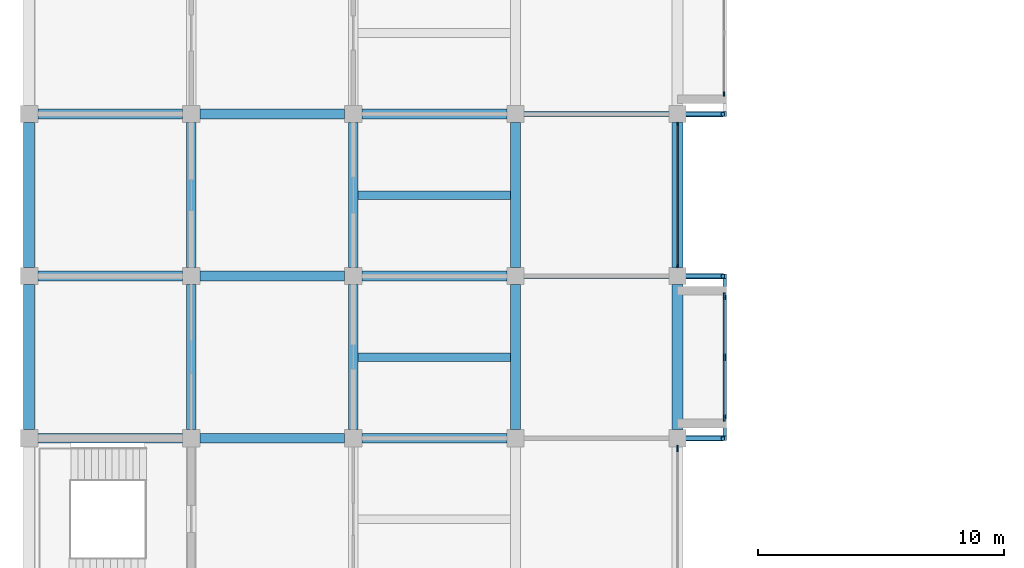
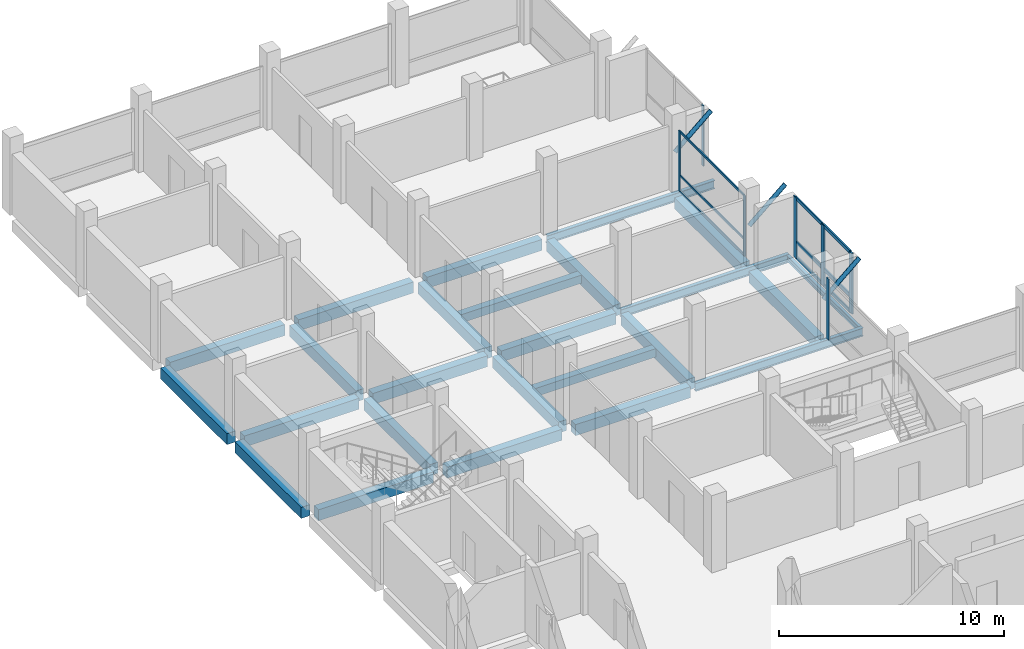
# One storey, part 4 of 10: 25 beams, 19 members, 4 elements without a shape of their own.
"""IFC4 building model written with IfcOpenShell, lengths in metres."""

from ifc_helpers import new_model, si_unit, direction, frame, origin, origin_2d, place, context, subcontext, project, spatial, rectangle, hollow_circle, i_section, extrude, material, material_profile, profile_set, type_object, element, aggregate, save


model = new_model("IFC4")

# Units and contexts
model_context = context("Model", 3, precision=1e-05, world=origin(), true_north=direction((0.0, 1.0)))
body_context = subcontext(model_context, "Body", "Model", "MODEL_VIEW")
ifc_project = project(units=[si_unit("LENGTHUNIT", "METRE"), si_unit("AREAUNIT", "SQUARE_METRE"), si_unit("VOLUMEUNIT", "CUBIC_METRE"), si_unit("PLANEANGLEUNIT", "RADIAN"), si_unit("MASSUNIT", "GRAM", prefix="KILO")], contexts=[model_context])

# Site, building, storey
site_placement = place(None, origin())
site = spatial("IfcSite", under=ifc_project, at=site_placement, CompositionType="ELEMENT")
building_placement = place(site_placement, origin())
building = spatial("IfcBuilding", under=site, at=building_placement, Name="Rusizi Kubbe Research Institute", CompositionType="ELEMENT")
storey_placement = place(building_placement, frame((0.0, 0.0, 48.0)))
storey = spatial("IfcBuildingStorey", under=building, at=storey_placement, Name="L11", CompositionType="ELEMENT", Elevation=48.0)

# Beams
ifc_material_1 = material(Name="Steel S355", Category="steel")
ifc_material_profile_1 = material_profile(ifc_material_1, i_section(OverallWidth=0.14990234375, OverallDepth=0.300048828125, WebThickness=0.007080078125, FlangeThickness=0.0107421875, at=origin_2d()), Name="IPE 300")
ifc_profile_set_1 = profile_set([ifc_material_profile_1], Name="Steel S355")
beam_type_1 = type_object("IfcBeamType", Name="BM-IPE300", PredefinedType="BEAM", material=ifc_profile_set_1)
beam_1_placement = place(storey_placement, frame((28.324951171875, 33.094970703125, -0.4599609375), z_axis=(0.0, 1.0, 0.0), x_axis=(-1.0, 0.0, 0.0)))
element("IfcBeam", 1, at=beam_1_placement, inside=storey, type_object=beam_type_1, Name="Cumba Edge Tie Beam L11-1", PredefinedType="BEAM", context=body_context, shape_type="SweptSolid", body=[
    extrude(i_section(OverallWidth=0.14990234375, OverallDepth=0.300048828125, WebThickness=0.007080078125, FlangeThickness=0.0107421875, at=origin_2d()), origin(), (0.0, 0.0, 1.0), 6.409912109375),
])
ifc_material_2 = material(Name="Steel S355", Category="steel")
ifc_material_profile_2 = material_profile(ifc_material_2, i_section(OverallWidth=0.18994140625, OverallDepth=0.449951171875, WebThickness=0.009521484375, FlangeThickness=0.0146484375, at=origin_2d()), Name="IPE 450")
ifc_profile_set_2 = profile_set([ifc_material_profile_2], Name="Steel S355")
beam_type_2 = type_object("IfcBeamType", Name="BM-IPE450", PredefinedType="BEAM", material=ifc_profile_set_2)
for number, where, z_axis, x_axis, name in (
    (2, (19.800048828125, 33.0, -0.534912109375), (1.0, 0.0, 0.0), (0.0, 1.0, 0.0), "Cumba Back-Spanned Cantilever Beam L11-1S"),
    (3, (19.800048828125, 39.60009765625, -0.534912109375), (1.0, 0.0, 0.0), (0.0, 1.0, 0.0), "Cumba Back-Spanned Cantilever Beam L11-1N"),
    (4, (19.800048828125, 46.199951171875, -0.534912109375), (1.0, 0.0, 0.0), (0.0, 1.0, 0.0), "Cumba Back-Spanned Cantilever Beam L11-2S"),
):
    element("IfcBeam", number, at=place(storey_placement, frame(where, z_axis=z_axis, x_axis=x_axis)), inside=storey, type_object=beam_type_2, Name=name, PredefinedType="BEAM", context=body_context, shape_type="SweptSolid", body=[
        extrude(i_section(OverallWidth=0.18994140625, OverallDepth=0.449951171875, WebThickness=0.009521484375, FlangeThickness=0.0146484375, at=origin_2d()), origin(), (0.0, 0.0, 1.0), 8.599853515625),
    ])
ifc_material_3 = material(Name="Concrete C40/50", Category="concrete")
ifc_material_profile_3 = material_profile(ifc_material_3, rectangle(XDim=0.35009765625, YDim=0.449951171875, at=origin_2d()), Name="RC350x450")
ifc_profile_set_3 = profile_set([ifc_material_profile_3], Name="Concrete C40/50")
beam_type_3 = type_object("IfcBeamType", Name="BM-RC350x450", PredefinedType="JOIST", material=ifc_profile_set_3)
for number, where, z_axis, x_axis, name in (
    (5, (13.39990234375, 36.300048828125, -0.534912109375), (1.0, 0.0, 0.0), (0.0, 1.0, 0.0), "Lab Stiffener Joist L11 (2,5)"),
    (6, (13.39990234375, 42.89990234375, -0.534912109375), (1.0, 0.0, 0.0), (0.0, 1.0, 0.0), "Lab Stiffener Joist L11 (2,6)"),
):
    element("IfcBeam", number, at=place(storey_placement, frame(where, z_axis=z_axis, x_axis=x_axis)), inside=storey, type_object=beam_type_3, Name=name, PredefinedType="JOIST", context=body_context, shape_type="SweptSolid", body=[
        extrude(rectangle(XDim=0.35009765625, YDim=0.449951171875, at=origin_2d()), origin(), (0.0, 0.0, 1.0), 6.2001953125),
    ])
ifc_material_4 = material(Name="Concrete C40/50", Category="concrete")
ifc_material_profile_4 = material_profile(ifc_material_4, rectangle(XDim=0.39990234375, YDim=0.60009765625, at=origin_2d()), Name="RC400x600")
ifc_profile_set_4 = profile_set([ifc_material_profile_4], Name="Concrete C40/50")
beam_type_4 = type_object("IfcBeamType", Name="BM-RC400x600", PredefinedType="BEAM", material=ifc_profile_set_4)
for number, where, z_axis, x_axis, name in (
    (7, (0.35009765625, 33.0, -0.610107421875), (1.0, 0.0, 0.0), (0.0, 1.0, 0.0), "Grid Beam H L11 (0,5)"),
    (8, (0.35009765625, 39.60009765625, -0.610107421875), (1.0, 0.0, 0.0), (0.0, 1.0, 0.0), "Grid Beam H L11 (0,6)"),
    (9, (0.35009765625, 46.199951171875, -0.610107421875), (1.0, 0.0, 0.0), (0.0, 1.0, 0.0), "Grid Beam H L11 (0,7)"),
):
    element("IfcBeam", number, at=place(storey_placement, frame(where, z_axis=z_axis, x_axis=x_axis)), inside=storey, type_object=beam_type_4, Name=name, PredefinedType="BEAM", context=body_context, shape_type="SweptSolid", body=[
        extrude(rectangle(XDim=0.39990234375, YDim=0.60009765625, at=origin_2d()), origin(), (0.0, 0.0, 1.0), 5.89990234375),
    ])
for number, where, z_axis, x_axis, name in (
    (10, (6.949951171875, 33.0, -0.610107421875), (1.0, 0.0, 0.0), (0.0, 1.0, 0.0), "Grid Beam H L11 (1,5)"),
    (11, (6.949951171875, 39.60009765625, -0.610107421875), (1.0, 0.0, 0.0), (0.0, 1.0, 0.0), "Grid Beam H L11 (1,6)"),
    (12, (6.949951171875, 46.199951171875, -0.610107421875), (1.0, 0.0, 0.0), (0.0, 1.0, 0.0), "Grid Beam H L11 (1,7)"),
):
    element("IfcBeam", number, at=place(storey_placement, frame(where, z_axis=z_axis, x_axis=x_axis)), inside=storey, type_object=beam_type_4, Name=name, PredefinedType="BEAM", context=body_context, shape_type="SweptSolid", body=[
        extrude(rectangle(XDim=0.39990234375, YDim=0.60009765625, at=origin_2d()), origin(), (0.0, 0.0, 1.0), 5.900146484375),
    ])
for number, where, z_axis, x_axis, name in (
    (13, (13.550048828125, 33.0, -0.610107421875), (1.0, 0.0, 0.0), (0.0, 1.0, 0.0), "Grid Beam H L11 (2,5)"),
    (14, (13.550048828125, 39.60009765625, -0.610107421875), (1.0, 0.0, 0.0), (0.0, 1.0, 0.0), "Grid Beam H L11 (2,6)"),
    (15, (13.550048828125, 46.199951171875, -0.610107421875), (1.0, 0.0, 0.0), (0.0, 1.0, 0.0), "Grid Beam H L11 (2,7)"),
    (16, (6.60009765625, 33.35009765625, -0.610107421875), (0.0, 1.0, 0.0), (-1.0, 0.0, 0.0), "Grid Beam V L11 (1,5)"),
):
    element("IfcBeam", number, at=place(storey_placement, frame(where, z_axis=z_axis, x_axis=x_axis)), inside=storey, type_object=beam_type_4, Name=name, PredefinedType="BEAM", context=body_context, shape_type="SweptSolid", body=[
        extrude(rectangle(XDim=0.39990234375, YDim=0.60009765625, at=origin_2d()), origin(), (0.0, 0.0, 1.0), 5.89990234375),
    ])
beam_2_placement = place(storey_placement, frame((6.60009765625, 39.949951171875, -0.610107421875), z_axis=(0.0, 1.0, 0.0), x_axis=(-1.0, 0.0, 0.0)))
element("IfcBeam", 17, at=beam_2_placement, inside=storey, type_object=beam_type_4, Name="Grid Beam V L11 (1,6)", PredefinedType="BEAM", context=body_context, shape_type="SweptSolid", body=[
    extrude(rectangle(XDim=0.39990234375, YDim=0.60009765625, at=origin_2d()), origin(), (0.0, 0.0, 1.0), 5.900146484375),
])
beam_3_placement = place(storey_placement, frame((13.199951171875, 33.35009765625, -0.610107421875), z_axis=(0.0, 1.0, 0.0), x_axis=(-1.0, 0.0, 0.0)))
element("IfcBeam", 18, at=beam_3_placement, inside=storey, type_object=beam_type_4, Name="Grid Beam V L11 (2,5)", PredefinedType="BEAM", context=body_context, shape_type="SweptSolid", body=[
    extrude(rectangle(XDim=0.39990234375, YDim=0.60009765625, at=origin_2d()), origin(), (0.0, 0.0, 1.0), 5.89990234375),
])
beam_4_placement = place(storey_placement, frame((13.199951171875, 39.949951171875, -0.610107421875), z_axis=(0.0, 1.0, 0.0), x_axis=(-1.0, 0.0, 0.0)))
element("IfcBeam", 19, at=beam_4_placement, inside=storey, type_object=beam_type_4, Name="Grid Beam V L11 (2,6)", PredefinedType="BEAM", context=body_context, shape_type="SweptSolid", body=[
    extrude(rectangle(XDim=0.39990234375, YDim=0.60009765625, at=origin_2d()), origin(), (0.0, 0.0, 1.0), 5.900146484375),
])
beam_5_placement = place(storey_placement, frame((19.800048828125, 33.35009765625, -0.610107421875), z_axis=(0.0, 1.0, 0.0), x_axis=(-1.0, 0.0, 0.0)))
element("IfcBeam", 20, at=beam_5_placement, inside=storey, type_object=beam_type_4, Name="Grid Beam V L11 (3,5)", PredefinedType="BEAM", context=body_context, shape_type="SweptSolid", body=[
    extrude(rectangle(XDim=0.39990234375, YDim=0.60009765625, at=origin_2d()), origin(), (0.0, 0.0, 1.0), 5.89990234375),
])
beam_6_placement = place(storey_placement, frame((19.800048828125, 39.949951171875, -0.610107421875), z_axis=(0.0, 1.0, 0.0), x_axis=(-1.0, 0.0, 0.0)))
element("IfcBeam", 21, at=beam_6_placement, inside=storey, type_object=beam_type_4, Name="Grid Beam V L11 (3,6)", PredefinedType="BEAM", context=body_context, shape_type="SweptSolid", body=[
    extrude(rectangle(XDim=0.39990234375, YDim=0.60009765625, at=origin_2d()), origin(), (0.0, 0.0, 1.0), 5.900146484375),
])
ifc_material_5 = material(Name="Concrete C40/50", Category="concrete")
ifc_material_profile_5 = material_profile(ifc_material_5, rectangle(XDim=0.449951171875, YDim=0.60009765625, at=origin_2d()), Name="RC450x600")
ifc_profile_set_5 = profile_set([ifc_material_profile_5], Name="Concrete C40/50")
beam_type_5 = type_object("IfcBeamType", Name="BM-RC450x600", PredefinedType="SPANDREL", material=ifc_profile_set_5)
beam_7_placement = place(storey_placement, frame((0.0, 33.35009765625, -0.610107421875), z_axis=(0.0, 1.0, 0.0), x_axis=(-1.0, 0.0, 0.0)))
element("IfcBeam", 22, at=beam_7_placement, inside=storey, type_object=beam_type_5, Name="Grid Beam V L11 (0,5)", PredefinedType="SPANDREL", context=body_context, shape_type="SweptSolid", body=[
    extrude(rectangle(XDim=0.449951171875, YDim=0.60009765625, at=origin_2d()), origin(), (0.0, 0.0, 1.0), 5.89990234375),
])
beam_8_placement = place(storey_placement, frame((0.0, 39.949951171875, -0.610107421875), z_axis=(0.0, 1.0, 0.0), x_axis=(-1.0, 0.0, 0.0)))
element("IfcBeam", 23, at=beam_8_placement, inside=storey, type_object=beam_type_5, Name="Grid Beam V L11 (0,6)", PredefinedType="SPANDREL", context=body_context, shape_type="SweptSolid", body=[
    extrude(rectangle(XDim=0.449951171875, YDim=0.60009765625, at=origin_2d()), origin(), (0.0, 0.0, 1.0), 5.900146484375),
])
beam_9_placement = place(storey_placement, frame((26.39990234375, 33.35009765625, -0.610107421875), z_axis=(0.0, 1.0, 0.0), x_axis=(-1.0, 0.0, 0.0)))
element("IfcBeam", 24, at=beam_9_placement, inside=storey, type_object=beam_type_5, Name="Grid Beam V L11 (4,5)", PredefinedType="SPANDREL", context=body_context, shape_type="SweptSolid", body=[
    extrude(rectangle(XDim=0.449951171875, YDim=0.60009765625, at=origin_2d()), origin(), (0.0, 0.0, 1.0), 5.89990234375),
])
beam_10_placement = place(storey_placement, frame((26.39990234375, 39.949951171875, -0.610107421875), z_axis=(0.0, 1.0, 0.0), x_axis=(-1.0, 0.0, 0.0)))
element("IfcBeam", 25, at=beam_10_placement, inside=storey, type_object=beam_type_5, Name="Grid Beam V L11 (4,6)", PredefinedType="SPANDREL", context=body_context, shape_type="SweptSolid", body=[
    extrude(rectangle(XDim=0.449951171875, YDim=0.60009765625, at=origin_2d()), origin(), (0.0, 0.0, 1.0), 5.900146484375),
])

# Members
ifc_material_6 = material(Name="Steel S355", Category="steel")
ifc_material_profile_6 = material_profile(ifc_material_6, hollow_circle(Radius=0.109619140625, WallThickness=0.008056640625, at=origin_2d()), Name="CHS 219.1x8.0")
ifc_profile_set_6 = profile_set([ifc_material_profile_6], Name="Steel S355")
member_type_1 = type_object("IfcMemberType", Name="MB-CHS219", PredefinedType="BRACE", material=ifc_profile_set_6)
for number, where, z_axis, x_axis, name in (
    (26, (26.39990234375, 33.0, 1.889892578125), (0.756360503059, 0.0, 0.654155019405), (0.0, 1.0, 0.0), "Cumba Diagonal Corbel Brace L12-1S"),
    (27, (26.39990234375, 39.60009765625, 1.889892578125), (0.756360503059, 0.0, 0.654155019405), (0.0, 1.0, 0.0), "Cumba Diagonal Corbel Brace L12-1N"),
    (28, (26.39990234375, 46.199951171875, 1.889892578125), (0.756360503059, 0.0, 0.654155019405), (0.0, 1.0, 0.0), "Cumba Diagonal Corbel Brace L12-2S"),
):
    element("IfcMember", number, at=place(storey_placement, frame(where, z_axis=z_axis, x_axis=x_axis)), inside=storey, type_object=member_type_1, Name=name, PredefinedType="BRACE", context=body_context, shape_type="SweptSolid", body=[
        extrude(hollow_circle(Radius=0.109619140625, WallThickness=0.008056640625, at=origin_2d()), origin(), (0.0, 0.0, 1.0), 2.446044921875),
    ])

# Curtain wall, members
ifc_material_7 = material(Name="Thermally Broken Aluminium and Low-E Glazing", Category="aluminium")
curtain_wall_type_1 = type_object("IfcCurtainWallType", Name="CW-12", PredefinedType="NOTDEFINED", material=ifc_material_7)
curtain_wall_1_placement = place(storey_placement, origin())
curtain_wall_1 = element("IfcCurtainWall", 29, at=curtain_wall_1_placement, inside=storey, type_object=curtain_wall_type_1, Name="Unitised Facade Curtain Wall CW-L11-V-04-06", PredefinedType="NOTDEFINED")
ifc_material_8 = material(Name="Aluminium Alloy 6063-T6", Category="aluminium")
ifc_material_profile_7 = material_profile(ifc_material_8, rectangle(XDim=0.06005859375, YDim=0.14990234375, at=origin_2d()), Name="ALU-M 60x150")
ifc_profile_set_7 = profile_set([ifc_material_profile_7], Name="Aluminium Alloy 6063-T6")
member_type_2 = type_object("IfcMemberType", Name="ML-01", PredefinedType="MULLION", material=ifc_profile_set_7)
member_1_placement = place(storey_placement, frame((26.39990234375, 40.010009765625, 0.0), z_axis=(0.0, 0.0, 1.0), x_axis=(-1.0, 0.0, 0.0)))
member_1 = element("IfcMember", 30, at=member_1_placement, type_object=member_type_2, Name="CW-12 mullion 1", PredefinedType="MULLION", context=body_context, shape_type="SweptSolid", body=[
    extrude(rectangle(XDim=0.06005859375, YDim=0.14990234375, at=origin_2d()), origin(), (0.0, 0.0, 1.0), 3.2900390625),
])
member_2_placement = place(storey_placement, frame((26.39990234375, 45.7900390625, 0.0), z_axis=(0.0, 0.0, 1.0), x_axis=(-1.0, 0.0, 0.0)))
member_2 = element("IfcMember", 31, at=member_2_placement, type_object=member_type_2, Name="CW-12 mullion 2", PredefinedType="MULLION", context=body_context, shape_type="SweptSolid", body=[
    extrude(rectangle(XDim=0.06005859375, YDim=0.14990234375, at=origin_2d()), origin(), (0.0, 0.0, 1.0), 3.2900390625),
])

# Curtain wall, member
ifc_material_9 = material(Name="Thermally Broken Aluminium and Low-E Glazing", Category="aluminium")
curtain_wall_type_2 = type_object("IfcCurtainWallType", Name="CW-04", PredefinedType="NOTDEFINED", material=ifc_material_9)
curtain_wall_2_placement = place(storey_placement, origin())
curtain_wall_2 = element("IfcCurtainWall", 32, at=curtain_wall_2_placement, inside=storey, type_object=curtain_wall_type_2, Name="Cumba Glazed Curtain Wall CW-CUMBA-L11-121", PredefinedType="NOTDEFINED")
ifc_material_10 = material(Name="Aluminium Alloy 6063-T6", Category="aluminium")
ifc_material_profile_8 = material_profile(ifc_material_10, rectangle(XDim=0.06005859375, YDim=0.179931640625, at=origin_2d()), Name="ALU-M 60x180")
ifc_profile_set_8 = profile_set([ifc_material_profile_8], Name="Aluminium Alloy 6063-T6")
member_type_3 = type_object("IfcMemberType", Name="ML-02", PredefinedType="MULLION", material=ifc_profile_set_8)
member_3_placement = place(storey_placement, frame((28.300048828125, 47.012451171875, 0.0), z_axis=(0.0, 0.0, 1.0), x_axis=(-1.0, 0.0, 0.0)))
member_3 = element("IfcMember", 33, at=member_3_placement, type_object=member_type_3, Name="CW-04 mullion 1", PredefinedType="MULLION", context=body_context, shape_type="SweptSolid", body=[
    extrude(rectangle(XDim=0.06005859375, YDim=0.179931640625, at=origin_2d()), origin(), (0.0, 0.0, 1.0), 3.2900390625),
])
aggregate(curtain_wall_2, [member_3])

ifc_material_11 = material(Name="Thermally Broken Aluminium and Low-E Glazing", Category="aluminium")
curtain_wall_type_3 = type_object("IfcCurtainWallType", Name="CW-13", PredefinedType="NOTDEFINED", material=ifc_material_11)
curtain_wall_3_placement = place(storey_placement, origin())
curtain_wall_3 = element("IfcCurtainWall", 34, at=curtain_wall_3_placement, inside=storey, type_object=curtain_wall_type_3, Name="Unitised Facade Curtain Wall CW-L11-V-04-04", PredefinedType="NOTDEFINED")
ifc_material_12 = material(Name="Aluminium Alloy 6063-T6", Category="aluminium")
ifc_material_profile_9 = material_profile(ifc_material_12, rectangle(XDim=0.074951171875, YDim=0.25, at=origin_2d()), Name="ALU-M 75x250")
ifc_profile_set_9 = profile_set([ifc_material_profile_9], Name="Aluminium Alloy 6063-T6")
member_type_4 = type_object("IfcMemberType", Name="ML-05", PredefinedType="MULLION", material=ifc_profile_set_9)
member_4_placement = place(storey_placement, frame((26.39990234375, 32.58251953125, 0.0), z_axis=(0.0, 0.0, 1.0), x_axis=(-1.0, 0.0, 0.0)))
member_4 = element("IfcMember", 35, at=member_4_placement, type_object=member_type_4, Name="CW-13 mullion 2", PredefinedType="MULLION", context=body_context, shape_type="SweptSolid", body=[
    extrude(rectangle(XDim=0.074951171875, YDim=0.25, at=origin_2d()), origin(), (0.0, 0.0, 1.0), 3.2900390625),
])
aggregate(curtain_wall_3, [member_4])

# Curtain wall, members
curtain_wall_4_placement = place(storey_placement, origin())
curtain_wall_4 = element("IfcCurtainWall", 36, at=curtain_wall_4_placement, inside=storey, type_object=curtain_wall_type_2, Name="Cumba Glazed Curtain Wall CW-CUMBA-L11-119", PredefinedType="NOTDEFINED")
ifc_material_13 = material(Name="Aluminium Alloy 6063-T6", Category="aluminium")
ifc_material_profile_10 = material_profile(ifc_material_13, rectangle(XDim=0.080078125, YDim=0.280029296875, at=origin_2d()), Name="ALU-M 80x280")
ifc_profile_set_10 = profile_set([ifc_material_profile_10], Name="Aluminium Alloy 6063-T6")
member_type_5 = type_object("IfcMemberType", Name="ML-06", PredefinedType="MULLION", material=ifc_profile_set_10)
member_5_placement = place(storey_placement, frame((28.300048828125, 33.822509765625, 0.0), z_axis=(0.0, 0.0, 1.0), x_axis=(-1.0, 0.0, 0.0)))
member_5 = element("IfcMember", 37, at=member_5_placement, type_object=member_type_5, Name="CW-04 mullion 1", PredefinedType="MULLION", context=body_context, shape_type="SweptSolid", body=[
    extrude(rectangle(XDim=0.080078125, YDim=0.280029296875, at=origin_2d()), origin(), (0.0, 0.0, 1.0), 3.2900390625),
])
member_6_placement = place(storey_placement, frame((28.300048828125, 36.300048828125, 0.0), z_axis=(0.0, 0.0, 1.0), x_axis=(-1.0, 0.0, 0.0)))
member_6 = element("IfcMember", 38, at=member_6_placement, type_object=member_type_5, Name="CW-04 mullion 2", PredefinedType="MULLION", context=body_context, shape_type="SweptSolid", body=[
    extrude(rectangle(XDim=0.080078125, YDim=0.280029296875, at=origin_2d()), origin(), (0.0, 0.0, 1.0), 3.2900390625),
])
member_7_placement = place(storey_placement, frame((28.300048828125, 38.777587890625, 0.0), z_axis=(0.0, 0.0, 1.0), x_axis=(-1.0, 0.0, 0.0)))
member_7 = element("IfcMember", 39, at=member_7_placement, type_object=member_type_5, Name="CW-04 mullion 3", PredefinedType="MULLION", context=body_context, shape_type="SweptSolid", body=[
    extrude(rectangle(XDim=0.080078125, YDim=0.280029296875, at=origin_2d()), origin(), (0.0, 0.0, 1.0), 3.2900390625),
])

# Member
ifc_material_14 = material(Name="Aluminium Alloy 6063-T6", Category="aluminium")
ifc_material_profile_11 = material_profile(ifc_material_14, rectangle(XDim=0.06005859375, YDim=0.1201171875, at=origin_2d()), Name="ALU-T 60x120")
ifc_profile_set_11 = profile_set([ifc_material_profile_11], Name="Aluminium Alloy 6063-T6")
member_type_6 = type_object("IfcMemberType", Name="TR-01", PredefinedType="USERDEFINED", material=ifc_profile_set_11)
member_8_placement = place(storey_placement, frame((26.39990234375, 40.0400390625, 0.030029296875), z_axis=(0.0, 1.0, 0.0), x_axis=(-1.0, 0.0, 0.0)))
member_8 = element("IfcMember", 40, at=member_8_placement, type_object=member_type_6, Name="CW-12 transom 1.1", ObjectType="TRANSOM", PredefinedType="USERDEFINED", context=body_context, shape_type="SweptSolid", body=[
    extrude(rectangle(XDim=0.06005859375, YDim=0.1201171875, at=origin_2d()), origin(), (0.0, 0.0, 1.0), 5.719970703125),
])

member_9_placement = place(storey_placement, frame((26.39990234375, 40.0400390625, 0.89990234375), z_axis=(0.0, 1.0, 0.0), x_axis=(-1.0, 0.0, 0.0)))
member_9 = element("IfcMember", 41, at=member_9_placement, type_object=member_type_6, Name="CW-12 transom 1.2", ObjectType="TRANSOM", PredefinedType="USERDEFINED", context=body_context, shape_type="SweptSolid", body=[
    extrude(rectangle(XDim=0.06005859375, YDim=0.1201171875, at=origin_2d()), origin(), (0.0, 0.0, 1.0), 5.719970703125),
])

member_10_placement = place(storey_placement, frame((26.39990234375, 40.0400390625, 3.260009765625), z_axis=(0.0, 1.0, 0.0), x_axis=(-1.0, 0.0, 0.0)))
member_10 = element("IfcMember", 42, at=member_10_placement, type_object=member_type_6, Name="CW-12 transom 1.3", ObjectType="TRANSOM", PredefinedType="USERDEFINED", context=body_context, shape_type="SweptSolid", body=[
    extrude(rectangle(XDim=0.06005859375, YDim=0.1201171875, at=origin_2d()), origin(), (0.0, 0.0, 1.0), 5.719970703125),
])

aggregate(curtain_wall_1, [member_1, member_2, member_8, member_9, member_10])

ifc_material_15 = material(Name="Aluminium Alloy 6063-T6", Category="aluminium")
ifc_material_profile_12 = material_profile(ifc_material_15, rectangle(XDim=0.070068359375, YDim=0.18994140625, at=origin_2d()), Name="ALU-T 70x190")
ifc_profile_set_12 = profile_set([ifc_material_profile_12], Name="Aluminium Alloy 6063-T6")
member_type_7 = type_object("IfcMemberType", Name="TR-04", PredefinedType="USERDEFINED", material=ifc_profile_set_12)
member_11_placement = place(storey_placement, frame((28.300048828125, 33.862548828125, 0.034912109375), z_axis=(0.0, 1.0, 0.0), x_axis=(-1.0, 0.0, 0.0)))
member_11 = element("IfcMember", 43, at=member_11_placement, type_object=member_type_7, Name="CW-04 transom 1.1", ObjectType="TRANSOM", PredefinedType="USERDEFINED", context=body_context, shape_type="SweptSolid", body=[
    extrude(rectangle(XDim=0.070068359375, YDim=0.18994140625, at=origin_2d()), origin(), (0.0, 0.0, 1.0), 2.3974609375),
])

member_12_placement = place(storey_placement, frame((28.300048828125, 33.862548828125, 0.89990234375), z_axis=(0.0, 1.0, 0.0), x_axis=(-1.0, 0.0, 0.0)))
member_12 = element("IfcMember", 44, at=member_12_placement, type_object=member_type_7, Name="CW-04 transom 1.2", ObjectType="TRANSOM", PredefinedType="USERDEFINED", context=body_context, shape_type="SweptSolid", body=[
    extrude(rectangle(XDim=0.070068359375, YDim=0.18994140625, at=origin_2d()), origin(), (0.0, 0.0, 1.0), 2.3974609375),
])

member_13_placement = place(storey_placement, frame((28.300048828125, 33.862548828125, 3.2548828125), z_axis=(0.0, 1.0, 0.0), x_axis=(-1.0, 0.0, 0.0)))
member_13 = element("IfcMember", 45, at=member_13_placement, type_object=member_type_7, Name="CW-04 transom 1.3", ObjectType="TRANSOM", PredefinedType="USERDEFINED", context=body_context, shape_type="SweptSolid", body=[
    extrude(rectangle(XDim=0.070068359375, YDim=0.18994140625, at=origin_2d()), origin(), (0.0, 0.0, 1.0), 2.3974609375),
])

member_14_placement = place(storey_placement, frame((28.300048828125, 36.340087890625, 0.034912109375), z_axis=(0.0, 1.0, 0.0), x_axis=(-1.0, 0.0, 0.0)))
member_14 = element("IfcMember", 46, at=member_14_placement, type_object=member_type_7, Name="CW-04 transom 2.1", ObjectType="TRANSOM", PredefinedType="USERDEFINED", context=body_context, shape_type="SweptSolid", body=[
    extrude(rectangle(XDim=0.070068359375, YDim=0.18994140625, at=origin_2d()), origin(), (0.0, 0.0, 1.0), 2.3974609375),
])

member_15_placement = place(storey_placement, frame((28.300048828125, 36.340087890625, 0.89990234375), z_axis=(0.0, 1.0, 0.0), x_axis=(-1.0, 0.0, 0.0)))
member_15 = element("IfcMember", 47, at=member_15_placement, type_object=member_type_7, Name="CW-04 transom 2.2", ObjectType="TRANSOM", PredefinedType="USERDEFINED", context=body_context, shape_type="SweptSolid", body=[
    extrude(rectangle(XDim=0.070068359375, YDim=0.18994140625, at=origin_2d()), origin(), (0.0, 0.0, 1.0), 2.3974609375),
])

member_16_placement = place(storey_placement, frame((28.300048828125, 36.340087890625, 3.2548828125), z_axis=(0.0, 1.0, 0.0), x_axis=(-1.0, 0.0, 0.0)))
member_16 = element("IfcMember", 48, at=member_16_placement, type_object=member_type_7, Name="CW-04 transom 2.3", ObjectType="TRANSOM", PredefinedType="USERDEFINED", context=body_context, shape_type="SweptSolid", body=[
    extrude(rectangle(XDim=0.070068359375, YDim=0.18994140625, at=origin_2d()), origin(), (0.0, 0.0, 1.0), 2.3974609375),
])

aggregate(curtain_wall_4, [member_5, member_6, member_7, member_11, member_12, member_13, member_14, member_15, member_16])

save(model, "model.ifc")
